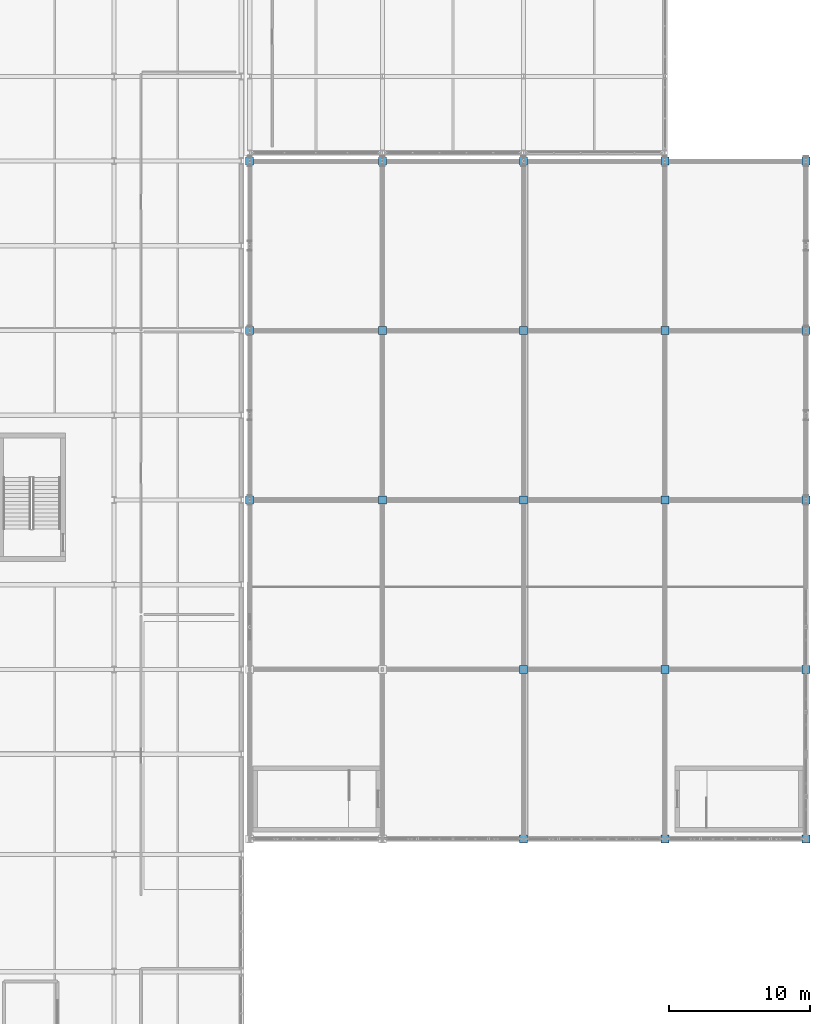
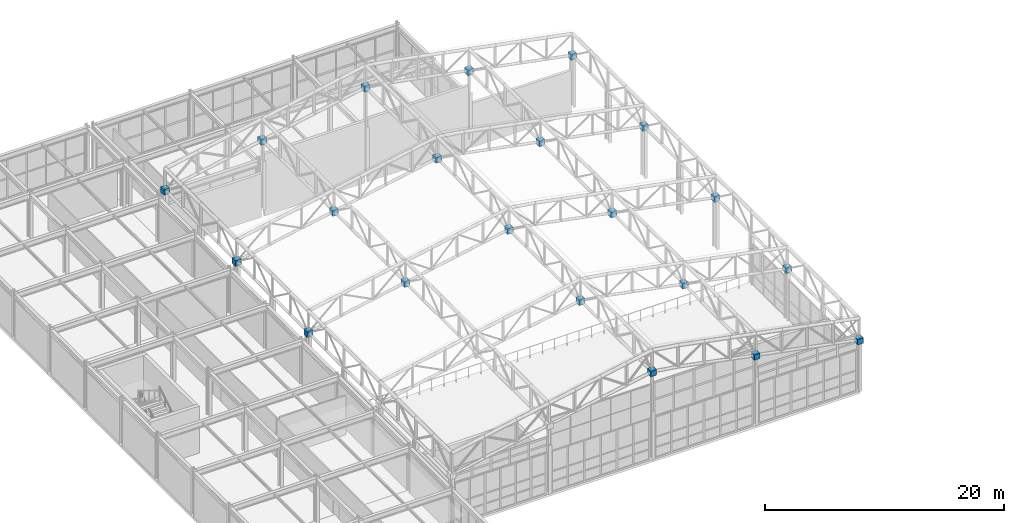
# One storey, part 101 of 112: 21 discrete accessories.
"""IFC4 building model written with IfcOpenShell, lengths in metres."""

from ifc_helpers import new_model, si_unit, direction, frame, origin, origin_2d, place, context, subcontext, project, spatial, rectangle, extrude, material, type_object, element, save


model = new_model("IFC4")

# Units and contexts
model_context = context("Model", 3, precision=1e-05, world=origin(), true_north=direction((0.0, 1.0)))
body_context = subcontext(model_context, "Body", "Model", "MODEL_VIEW")
ifc_project = project(units=[si_unit("LENGTHUNIT", "METRE"), si_unit("AREAUNIT", "SQUARE_METRE"), si_unit("VOLUMEUNIT", "CUBIC_METRE"), si_unit("PLANEANGLEUNIT", "RADIAN"), si_unit("MASSUNIT", "GRAM", prefix="KILO")], contexts=[model_context])

# Site, building, storey
site_placement = place(None, origin())
site = spatial("IfcSite", under=ifc_project, at=site_placement, CompositionType="ELEMENT")
building_placement = place(site_placement, origin())
building = spatial("IfcBuilding", under=site, at=building_placement, Name="Kaldris Quays Convention Centre", CompositionType="ELEMENT")
storey_placement = place(building_placement, frame((0.0, 0.0, 16.800048828125)))
storey = spatial("IfcBuildingStorey", under=building, at=storey_placement, Name="L03", CompositionType="ELEMENT", Elevation=16.800048828125)

# Discrete accessories
ifc_material = material(Name="Steel S355J2", Category="steel")
discrete_accessory_type = type_object("IfcDiscreteAccessoryType", Name="CAST STEEL HUB SHOE HS01", PredefinedType="SHOE", material=ifc_material)
for number, where, z_axis, x_axis, name in (
    (1, (164.60009765625, 80.0, 4.850341796875), (0.0, 0.0, 1.0), (1.0, 0.0, 0.0), "SF-V2 Bottom Hub Shoe 3"),
    (2, (164.60009765625, 92.0, 4.850341796875), (0.0, 0.0, 1.0), (1.0, 0.0, 0.0), "SF-V2 Bottom Hub Shoe 4"),
    (3, (164.60009765625, 104.0, 4.850341796875), (0.0, 0.0, 1.0), (1.0, 0.0, 0.0), "SF-V2 Bottom Hub Shoe 5"),
    (4, (174.0, 80.0, 6.66357421875), (0.0, 0.0, 1.0), (1.0, 0.0, 0.0), "SF-V2 Bottom Hub Shoe 8"),
    (5, (174.0, 92.0, 6.66357421875), (0.0, 0.0, 1.0), (1.0, 0.0, 0.0), "SF-V2 Bottom Hub Shoe 9"),
    (6, (174.0, 104.0, 6.66357421875), (0.0, 0.0, 1.0), (1.0, 0.0, 0.0), "SF-V2 Bottom Hub Shoe 10"),
    (7, (184.0, 56.0, 8.592529296875), (0.0, 0.0, 1.0), (1.0, 0.0, 0.0), "SF-V2 Bottom Hub Shoe 11"),
    (8, (184.0, 68.0, 8.592529296875), (0.0, 0.0, 1.0), (1.0, 0.0, 0.0), "SF-V2 Bottom Hub Shoe 12"),
    (9, (184.0, 80.0, 8.592529296875), (0.0, 0.0, 1.0), (1.0, 0.0, 0.0), "SF-V2 Bottom Hub Shoe 13"),
    (10, (184.0, 92.0, 8.592529296875), (0.0, 0.0, 1.0), (1.0, 0.0, 0.0), "SF-V2 Bottom Hub Shoe 14"),
    (11, (184.0, 104.0, 8.592529296875), (0.0, 0.0, 1.0), (1.0, 0.0, 0.0), "SF-V2 Bottom Hub Shoe 15"),
    (12, (194.0, 56.0, 6.779296875), (0.0, 0.0, 1.0), (1.0, 0.0, 0.0), "SF-V2 Bottom Hub Shoe 16"),
    (13, (194.0, 68.0, 6.779296875), (0.0, 0.0, 1.0), (1.0, 0.0, 0.0), "SF-V2 Bottom Hub Shoe 17"),
    (14, (194.0, 80.0, 6.779296875), (0.0, 0.0, 1.0), (1.0, 0.0, 0.0), "SF-V2 Bottom Hub Shoe 18"),
    (15, (194.0, 92.0, 6.779296875), (0.0, 0.0, 1.0), (1.0, 0.0, 0.0), "SF-V2 Bottom Hub Shoe 19"),
    (16, (194.0, 104.0, 6.779296875), (0.0, 0.0, 1.0), (1.0, 0.0, 0.0), "SF-V2 Bottom Hub Shoe 20"),
    (17, (204.0, 56.0, 4.850341796875), (0.0, 0.0, 1.0), (1.0, 0.0, 0.0), "SF-V2 Bottom Hub Shoe 21"),
    (18, (204.0, 68.0, 4.850341796875), (0.0, 0.0, 1.0), (1.0, 0.0, 0.0), "SF-V2 Bottom Hub Shoe 22"),
    (19, (204.0, 80.0, 4.850341796875), (0.0, 0.0, 1.0), (1.0, 0.0, 0.0), "SF-V2 Bottom Hub Shoe 23"),
    (20, (204.0, 92.0, 4.850341796875), (0.0, 0.0, 1.0), (1.0, 0.0, 0.0), "SF-V2 Bottom Hub Shoe 24"),
    (21, (204.0, 104.0, 4.850341796875), (0.0, 0.0, 1.0), (1.0, 0.0, 0.0), "SF-V2 Bottom Hub Shoe 25"),
):
    element("IfcDiscreteAccessory", number, at=place(storey_placement, frame(where, z_axis=z_axis, x_axis=x_axis)), inside=storey, type_object=discrete_accessory_type, Name=name, PredefinedType="SHOE", context=body_context, shape_type="SweptSolid", body=[
        extrude(rectangle(XDim=0.56005859375, YDim=0.56005859375, at=origin_2d()), origin(), (0.0, 0.0, 1.0), 0.56005859375),
    ])

save(model, "model.ifc")
